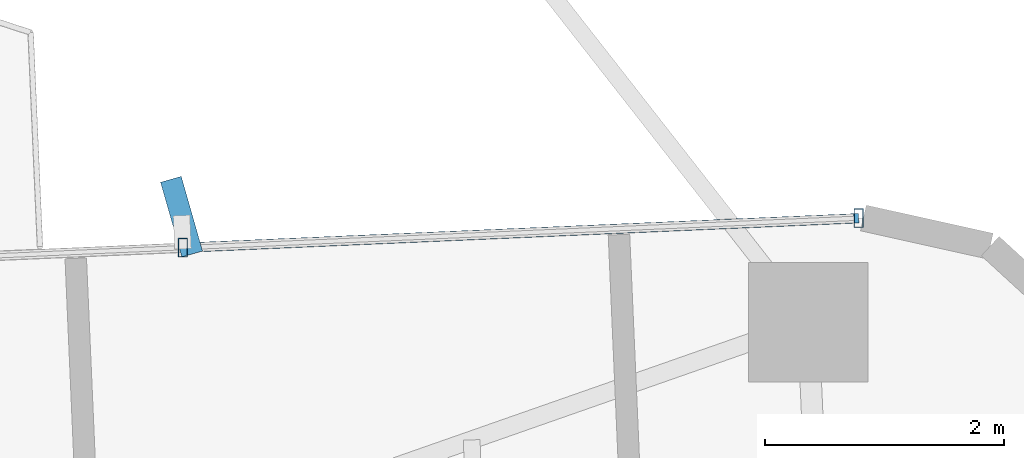
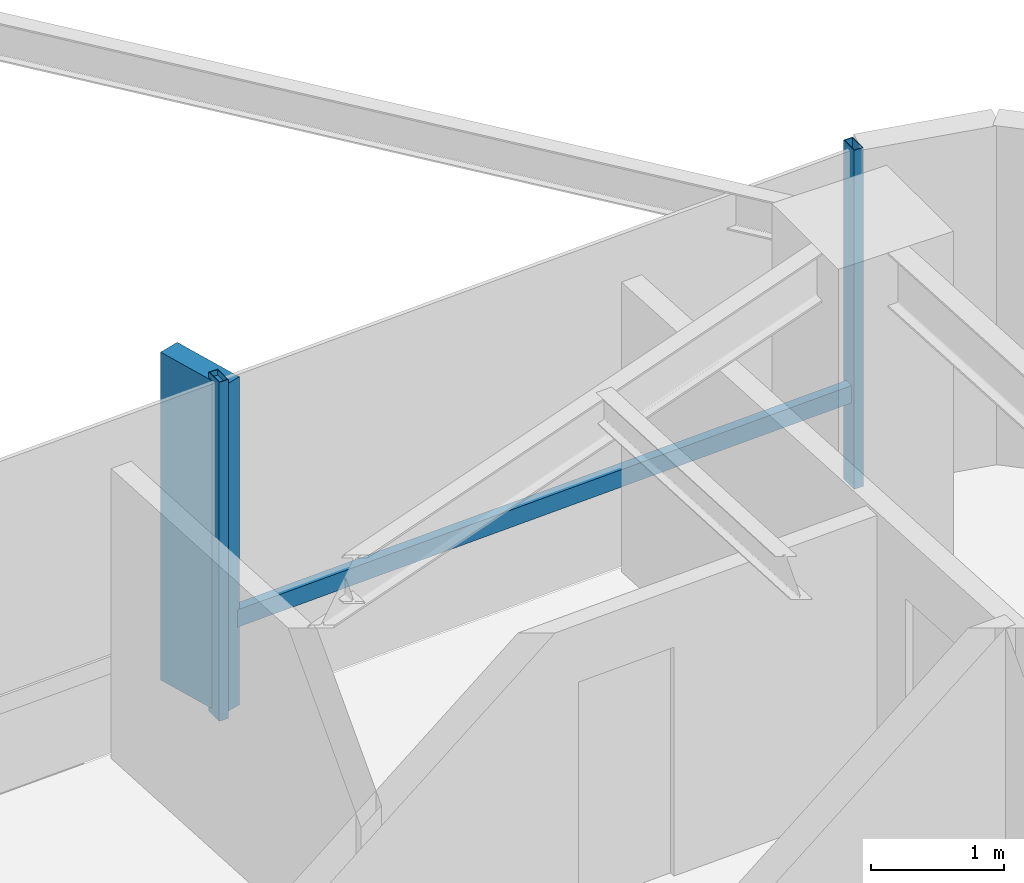
# One storey, part 20 of 27: 4 members, 1 element without a shape of its own.
"""IFC4 building model written with IfcOpenShell, lengths in metres."""

from ifc_helpers import new_model, si_unit, direction, frame, origin, origin_2d, place, context, subcontext, project, spatial, rectangle, hollow_rectangle, extrude, source, transform, mapped, material, material_profile, profile_set, type_object, element, aggregate, save


model = new_model("IFC4")

# Units and contexts
model_context = context("Model", 3, precision=1e-05, world=origin(), true_north=direction((0.0, 1.0)))
body_context = subcontext(model_context, "Body", "Model", "MODEL_VIEW")
ifc_project = project(units=[si_unit("LENGTHUNIT", "METRE"), si_unit("AREAUNIT", "SQUARE_METRE"), si_unit("VOLUMEUNIT", "CUBIC_METRE"), si_unit("PLANEANGLEUNIT", "RADIAN"), si_unit("MASSUNIT", "GRAM", prefix="KILO")], contexts=[model_context])

# Site, building, storey
site_placement = place(None, origin())
site = spatial("IfcSite", under=ifc_project, at=site_placement, CompositionType="ELEMENT")
building_placement = place(site_placement, origin())
building = spatial("IfcBuilding", under=site, at=building_placement, Name="Sahyath Konkavel Grand Hotel", CompositionType="ELEMENT")
storey_placement = place(building_placement, frame((0.0, 0.0, 90.199951171875)))
storey = spatial("IfcBuildingStorey", under=building, at=storey_placement, Name="L24", CompositionType="ELEMENT", Elevation=90.199951171875)

# Curtain wall, members
ifc_material_1 = material(Name="Anodised Bronze Aluminium & Low-E Glazing", Category="aluminium")
curtain_wall_type = type_object("IfcCurtainWallType", Name="CW-ZONE2", PredefinedType="NOTDEFINED", material=ifc_material_1)
curtain_wall_placement = place(storey_placement, origin())
curtain_wall = element("IfcCurtainWall", 1, at=curtain_wall_placement, inside=storey, type_object=curtain_wall_type, Name="L24 Unitised Curtain Wall F7", PredefinedType="NOTDEFINED")
ifc_material_2 = material(Name="Warm Buff Sandstone Cladding on Concrete C50/60", Category="masonry")
ifc_material_profile_1 = material_profile(ifc_material_2, rectangle(XDim=0.179931640625, YDim=0.64990234375, at=origin_2d()), Name="FIN 180x650")
ifc_profile_set_1 = profile_set([ifc_material_profile_1], Name="Warm Buff Sandstone Cladding on Concrete C50/60")
member_type_1 = type_object("IfcMemberType", Name="FIN-SANDSTONE-650", PredefinedType="MULLION", material=ifc_profile_set_1)
shared_shape_1 = source(origin(), body_context, "Body", "SweptSolid", [
    extrude(rectangle(XDim=0.179931640625, YDim=0.64990234375, at=origin_2d()), origin(), (0.0, 0.0, 1.0), 3.010009765625),
])
member_1_placement = place(storey_placement, frame((11.989013671875, 7.39013671875, 0.050048828125), z_axis=(0.0, 0.0, 1.0), x_axis=(0.961693479997, 0.274127070043, 0.0)))
member_1 = element("IfcMember", 2, at=member_1_placement, type_object=member_type_1, Name="L24 Sandstone Vertical Solar Fin FIN F7-1", PredefinedType="MULLION", context=body_context, shape_type="MappedRepresentation", body=[
    mapped(shared_shape_1, transform((0.0, 0.0, 0.0), scale=1.0)),
])
ifc_material_3 = material(Name="Anodised Bronze Aluminium", Category="aluminium")
ifc_material_profile_2 = material_profile(ifc_material_3, hollow_rectangle(XDim=0.080078125, YDim=0.159912109375, WallThickness=0.006103515625, at=origin_2d()), Name="RHS 160x80x6")
ifc_profile_set_2 = profile_set([ifc_material_profile_2], Name="Anodised Bronze Aluminium")
member_type_2 = type_object("IfcMemberType", Name="CW-MUL-160", PredefinedType="MULLION", material=ifc_profile_set_2)
shared_shape_2 = source(origin(), body_context, "Body", "SweptSolid", [
    extrude(hollow_rectangle(XDim=0.080078125, YDim=0.159912109375, WallThickness=0.006103515625, at=origin_2d()), origin(), (0.0, 0.0, 1.0), 3.110107421875),
])
member_2_placement = place(storey_placement, frame((17.655029296875, 7.377197265625, 0.0), z_axis=(0.0, 0.0, 1.0), x_axis=(1.0, 0.0, 0.0)))
member_2 = element("IfcMember", 3, at=member_2_placement, type_object=member_type_2, Name="L24 Curtain Wall Mullion F7-0", PredefinedType="MULLION", context=body_context, shape_type="MappedRepresentation", body=[
    mapped(shared_shape_2, transform((0.0, 0.0, 0.0), scale=1.0)),
])
member_3_placement = place(storey_placement, frame((12.00048828125, 7.13037109375, 0.0), z_axis=(0.0, 0.0, 1.0), x_axis=(1.0, 0.0, 0.0)))
member_3 = element("IfcMember", 4, at=member_3_placement, type_object=member_type_2, Name="L24 Curtain Wall Mullion F7-1", PredefinedType="MULLION", context=body_context, shape_type="MappedRepresentation", body=[
    mapped(shared_shape_2, transform((0.0, 0.0, 0.0), scale=1.0)),
])
ifc_material_profile_3 = material_profile(ifc_material_3, hollow_rectangle(XDim=0.080078125, YDim=0.159912109375, WallThickness=0.006103515625, at=origin_2d()), Name="RHS 160x80x6")
ifc_profile_set_3 = profile_set([ifc_material_profile_3], Name="Anodised Bronze Aluminium")
member_type_3 = type_object("IfcMemberType", Name="CW-TRN-160", PredefinedType="USERDEFINED", material=ifc_profile_set_3)
shared_shape_3 = source(origin(), body_context, "Body", "SweptSolid", [
    extrude(hollow_rectangle(XDim=0.080078125, YDim=0.159912109375, WallThickness=0.006103515625, at=origin_2d()), origin(), (0.0, 0.0, 1.0), 5.659912109375),
])
member_4_placement = place(storey_placement, frame((17.655029296875, 7.377197265625, 0.85009765625), z_axis=(-0.999048655935, -0.043609437898, 0.0), x_axis=(0.043609437898, -0.999048655935, 0.0)))
member_4 = element("IfcMember", 5, at=member_4_placement, type_object=member_type_3, Name="L24 Curtain Wall Transom F7-0-spandrel", ObjectType="TRANSOM", PredefinedType="USERDEFINED", context=body_context, shape_type="MappedRepresentation", body=[
    mapped(shared_shape_3, transform((0.0, 0.0, 0.0), scale=1.0)),
])
aggregate(curtain_wall, [member_2, member_3, member_1, member_4])

save(model, "model.ifc")
